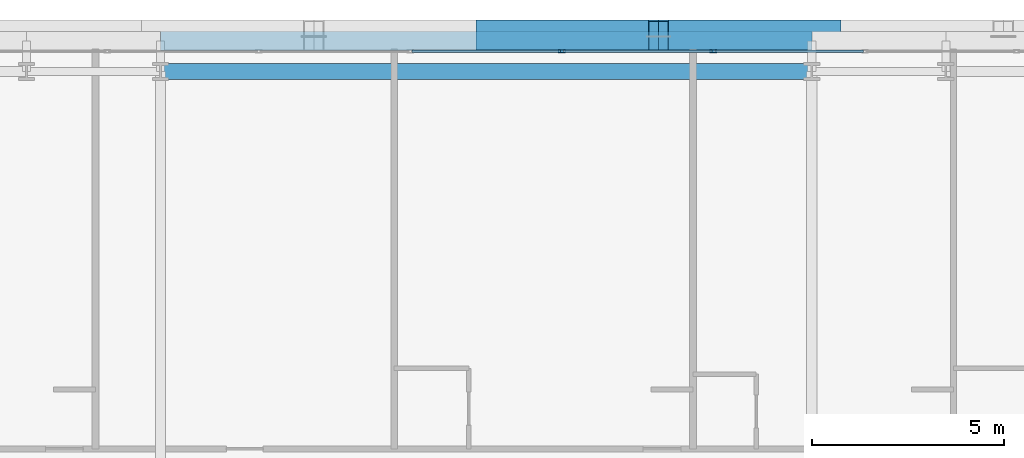
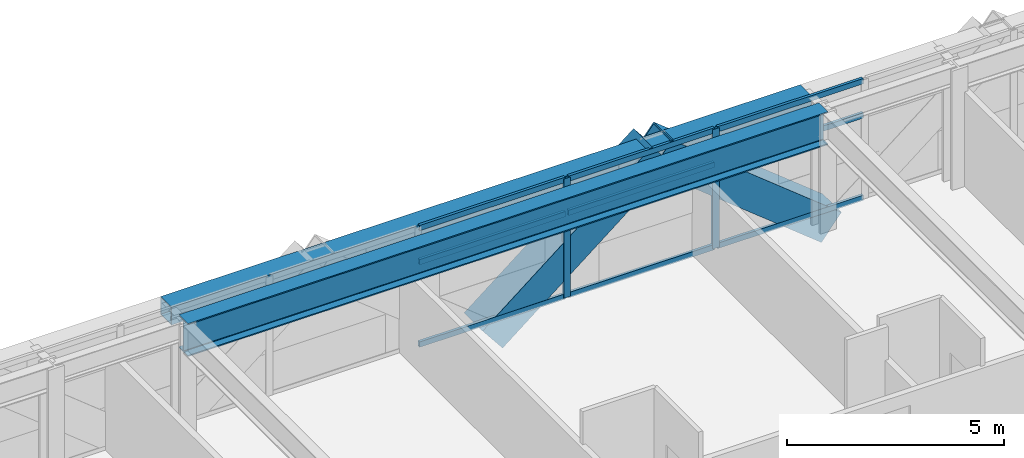
# One storey, part 19 of 35: 13 members, 2 beams, 1 element without a shape of its own.
"""IFC4 building model written with IfcOpenShell, lengths in metres."""

from ifc_helpers import new_model, si_unit, direction, frame, origin, origin_2d, place, context, subcontext, project, spatial, hollow_rectangle, i_section, extrude, source, transform, mapped, material, layer, layer_set, material_profile, profile_set, type_object, element, aggregate, save


model = new_model("IFC4")

# Units and contexts
model_context = context("Model", 3, precision=1e-05, world=origin(), true_north=direction((0.0, 1.0)))
body_context = subcontext(model_context, "Body", "Model", "MODEL_VIEW")
ifc_project = project(units=[si_unit("LENGTHUNIT", "METRE"), si_unit("AREAUNIT", "SQUARE_METRE"), si_unit("VOLUMEUNIT", "CUBIC_METRE"), si_unit("PLANEANGLEUNIT", "RADIAN"), si_unit("MASSUNIT", "GRAM", prefix="KILO")], contexts=[model_context])

# Site, building, storey
site_placement = place(None, origin())
site = spatial("IfcSite", under=ifc_project, at=site_placement, CompositionType="ELEMENT")
building_placement = place(site_placement, origin())
building = spatial("IfcBuilding", under=site, at=building_placement, Name="Ocotamira Hotel", CompositionType="ELEMENT")
storey_placement = place(building_placement, frame((0.0, 0.0, 56.39990234375)))
storey = spatial("IfcBuildingStorey", under=building, at=storey_placement, Name="L13", CompositionType="ELEMENT", Elevation=56.39990234375)

# Beams
ifc_material_1 = material(Name="Steel ASTM A992 Grade 50", Category="steel")
ifc_material_profile_1 = material_profile(ifc_material_1, i_section(OverallWidth=0.41796875, OverallDepth=0.927001953125, WebThickness=0.019287109375, FlangeThickness=0.031982421875, FilletRadius=0.02392578125, at=origin_2d()), Name="W36X231")
ifc_profile_set_1 = profile_set([ifc_material_profile_1], Name="Steel ASTM A992 Grade 50")
beam_type_1 = type_object("IfcBeamType", Name="BM-GIRD-W36X231", PredefinedType="BEAM", material=ifc_profile_set_1)
shared_shape_1 = source(origin(), body_context, "Body", "SweptSolid", [
    extrude(i_section(OverallWidth=0.41796875, OverallDepth=0.927001953125, WebThickness=0.019287109375, FlangeThickness=0.031982421875, FilletRadius=0.02392578125, at=origin_2d()), origin(), (0.0, 0.0, 1.0), 17.0),
])
beam_1_placement = place(storey_placement, frame((23.5, 49.050048828125, 2.88671875), z_axis=(1.0, 0.0, 0.0), x_axis=(0.0, 1.0, 0.0)))
element("IfcBeam", 1, at=beam_1_placement, inside=storey, type_object=beam_type_1, Name="L13 Girder Y49.05 X23.5-40.5", PredefinedType="BEAM", context=body_context, shape_type="MappedRepresentation", body=[
    mapped(shared_shape_1, transform((0.0, 0.0, 0.0), scale=1.0)),
])
ifc_material_2 = material(Name="Steel ASTM A500 Grade C", Category="steel")
ifc_material_profile_2 = material_profile(ifc_material_2, hollow_rectangle(XDim=0.5, YDim=0.5, WallThickness=0.02001953125, at=origin_2d()), Name="HSS500X500X20")
ifc_profile_set_2 = profile_set([ifc_material_profile_2], Name="Steel ASTM A500 Grade C")
beam_type_2 = type_object("IfcBeamType", Name="BM-SPAN-HSS500", PredefinedType="USERDEFINED", material=ifc_profile_set_2)
shared_shape_2 = source(origin(), body_context, "Body", "SweptSolid", [
    extrude(hollow_rectangle(XDim=0.5, YDim=0.5, WallThickness=0.02001953125, at=origin_2d()), origin(), (0.0, 0.0, 1.0), 17.0),
])
beam_2_placement = place(storey_placement, frame((23.5, 49.85009765625, 3.10009765625), z_axis=(1.0, 0.0, 0.0), x_axis=(0.0, 1.0, 0.0)))
element("IfcBeam", 2, at=beam_2_placement, inside=storey, type_object=beam_type_2, Name="L13 Edge Spandrel N X23.5-40.5", ObjectType="SPANDREL", PredefinedType="USERDEFINED", context=body_context, shape_type="MappedRepresentation", body=[
    mapped(shared_shape_2, transform((0.0, 0.0, 0.0), scale=1.0)),
])

# Members
ifc_material_3 = material(Name="Pale-metal coated steel ASTM A913 Grade 65", Category="steel")
ifc_material_profile_3 = material_profile(ifc_material_3, hollow_rectangle(XDim=0.85009765625, YDim=0.85009765625, WallThickness=0.035888671875, at=origin_2d()), Name="BOX850X850X36")
ifc_profile_set_3 = profile_set([ifc_material_profile_3], Name="Pale-metal coated steel ASTM A913 Grade 65")
member_type_1 = type_object("IfcMemberType", Name="MEM-EXO-BOX850", PredefinedType="BRACE", material=ifc_profile_set_3)
shared_shape_3 = source(origin(), body_context, "Body", "SweptSolid", [
    extrude(hollow_rectangle(XDim=0.85009765625, YDim=0.85009765625, WallThickness=0.035888671875, at=origin_2d()), origin(), (0.0, 0.0, 1.0), 5.762939453125),
])
for number, where, z_axis, x_axis, name in (
    (3, (32.0, 49.969970703125, -0.5), (0.780860543151, 0.0, 0.624705380279), (0.0, 1.0, 0.0), "L13 Exoskeleton Diagrid N2.1"),
    (4, (41.0, 49.969970703125, -0.5), (-0.780860543151, 0.0, 0.624705380279), (0.0, -1.0, 0.0), "L13 Exoskeleton Diagrid N2.2"),
):
    element("IfcMember", number, at=place(storey_placement, frame(where, z_axis=z_axis, x_axis=x_axis)), inside=storey, type_object=member_type_1, Name=name, PredefinedType="BRACE", context=body_context, shape_type="MappedRepresentation", body=[
        mapped(shared_shape_3, transform((0.0, 0.0, 0.0), scale=1.0)),
    ])

# Curtain wall, members
ifc_material_4 = material(Name="Anodised pale-metal aluminium and solar glass", Category="aluminium")
ifc_layer = layer(ifc_material_4, 0.179931640625)
ifc_layer_set = layer_set([ifc_layer], Name="Anodised pale-metal aluminium and solar glass")
curtain_wall_type = type_object("IfcCurtainWallType", Name="CW-SYS2-Z1", PredefinedType="NOTDEFINED", material=ifc_layer_set)
curtain_wall_placement = place(storey_placement, origin())
curtain_wall = element("IfcCurtainWall", 5, at=curtain_wall_placement, inside=storey, type_object=curtain_wall_type, Name="L13 Curtain Wall CW-2 CW-L13-N", PredefinedType="NOTDEFINED")
ifc_material_5 = material(Name="Anodised pale-metal aluminium 6063-T6", Category="aluminium")
ifc_material_profile_4 = material_profile(ifc_material_5, hollow_rectangle(XDim=0.074951171875, YDim=0.14990234375, WallThickness=0.006103515625, at=origin_2d()), Name="HSS150X75X6")
ifc_profile_set_4 = profile_set([ifc_material_profile_4], Name="Anodised pale-metal aluminium 6063-T6")
member_type_2 = type_object("IfcMemberType", Name="CWT-150X75", PredefinedType="USERDEFINED", material=ifc_profile_set_4)
shared_shape_4 = source(origin(), body_context, "Body", "SweptSolid", [
    extrude(hollow_rectangle(XDim=0.074951171875, YDim=0.14990234375, WallThickness=0.006103515625, at=origin_2d()), origin(), (0.0, 0.0, 1.0), 3.87548828125),
])
member_1_placement = place(storey_placement, frame((30.062255859375, 49.580078125, 0.03759765625), z_axis=(1.0, 0.0, 0.0), x_axis=(0.0, 1.0, 0.0)))
member_1 = element("IfcMember", 6, at=member_1_placement, type_object=member_type_2, Name="CW-2 transom 5.1", ObjectType="TRANSOM", PredefinedType="USERDEFINED", context=body_context, shape_type="MappedRepresentation", body=[
    mapped(shared_shape_4, transform((0.0, 0.0, 0.0), scale=1.0)),
])
member_2_placement = place(storey_placement, frame((30.062255859375, 49.580078125, 2.35009765625), z_axis=(1.0, 0.0, 0.0), x_axis=(0.0, 1.0, 0.0)))
member_2 = element("IfcMember", 7, at=member_2_placement, type_object=member_type_2, Name="CW-2 transom 5.2", ObjectType="TRANSOM", PredefinedType="USERDEFINED", context=body_context, shape_type="MappedRepresentation", body=[
    mapped(shared_shape_4, transform((0.0, 0.0, 0.0), scale=1.0)),
])
member_3_placement = place(storey_placement, frame((30.062255859375, 49.580078125, 3.3125), z_axis=(1.0, 0.0, 0.0), x_axis=(0.0, 1.0, 0.0)))
member_3 = element("IfcMember", 8, at=member_3_placement, type_object=member_type_2, Name="CW-2 transom 5.3", ObjectType="TRANSOM", PredefinedType="USERDEFINED", context=body_context, shape_type="MappedRepresentation", body=[
    mapped(shared_shape_4, transform((0.0, 0.0, 0.0), scale=1.0)),
])
member_4_placement = place(storey_placement, frame((34.017822265625, 49.580078125, 0.03759765625), z_axis=(1.0, 0.0, 0.0), x_axis=(0.0, 1.0, 0.0)))
member_4 = element("IfcMember", 9, at=member_4_placement, type_object=member_type_2, Name="CW-2 transom 6.1", ObjectType="TRANSOM", PredefinedType="USERDEFINED", context=body_context, shape_type="MappedRepresentation", body=[
    mapped(shared_shape_4, transform((0.0, 0.0, 0.0), scale=1.0)),
])
member_5_placement = place(storey_placement, frame((34.017822265625, 49.580078125, 2.35009765625), z_axis=(1.0, 0.0, 0.0), x_axis=(0.0, 1.0, 0.0)))
member_5 = element("IfcMember", 10, at=member_5_placement, type_object=member_type_2, Name="CW-2 transom 6.2", ObjectType="TRANSOM", PredefinedType="USERDEFINED", context=body_context, shape_type="MappedRepresentation", body=[
    mapped(shared_shape_4, transform((0.0, 0.0, 0.0), scale=1.0)),
])
member_6_placement = place(storey_placement, frame((34.017822265625, 49.580078125, 3.3125), z_axis=(1.0, 0.0, 0.0), x_axis=(0.0, 1.0, 0.0)))
member_6 = element("IfcMember", 11, at=member_6_placement, type_object=member_type_2, Name="CW-2 transom 6.3", ObjectType="TRANSOM", PredefinedType="USERDEFINED", context=body_context, shape_type="MappedRepresentation", body=[
    mapped(shared_shape_4, transform((0.0, 0.0, 0.0), scale=1.0)),
])
member_7_placement = place(storey_placement, frame((37.973388671875, 49.580078125, 0.03759765625), z_axis=(1.0, 0.0, 0.0), x_axis=(0.0, 1.0, 0.0)))
member_7 = element("IfcMember", 12, at=member_7_placement, type_object=member_type_2, Name="CW-2 transom 7.1", ObjectType="TRANSOM", PredefinedType="USERDEFINED", context=body_context, shape_type="MappedRepresentation", body=[
    mapped(shared_shape_4, transform((0.0, 0.0, 0.0), scale=1.0)),
])
member_8_placement = place(storey_placement, frame((37.973388671875, 49.580078125, 2.35009765625), z_axis=(1.0, 0.0, 0.0), x_axis=(0.0, 1.0, 0.0)))
member_8 = element("IfcMember", 13, at=member_8_placement, type_object=member_type_2, Name="CW-2 transom 7.2", ObjectType="TRANSOM", PredefinedType="USERDEFINED", context=body_context, shape_type="MappedRepresentation", body=[
    mapped(shared_shape_4, transform((0.0, 0.0, 0.0), scale=1.0)),
])
member_9_placement = place(storey_placement, frame((37.973388671875, 49.580078125, 3.3125), z_axis=(1.0, 0.0, 0.0), x_axis=(0.0, 1.0, 0.0)))
member_9 = element("IfcMember", 14, at=member_9_placement, type_object=member_type_2, Name="CW-2 transom 7.3", ObjectType="TRANSOM", PredefinedType="USERDEFINED", context=body_context, shape_type="MappedRepresentation", body=[
    mapped(shared_shape_4, transform((0.0, 0.0, 0.0), scale=1.0)),
])
ifc_material_profile_5 = material_profile(ifc_material_5, hollow_rectangle(XDim=0.080078125, YDim=0.179931640625, WallThickness=0.006103515625, at=origin_2d()), Name="HSS180X80X6")
ifc_profile_set_5 = profile_set([ifc_material_profile_5], Name="Anodised pale-metal aluminium 6063-T6")
member_type_3 = type_object("IfcMemberType", Name="CWM-180X75", PredefinedType="MULLION", material=ifc_profile_set_5)
shared_shape_5 = source(origin(), body_context, "Body", "SweptSolid", [
    extrude(hollow_rectangle(XDim=0.080078125, YDim=0.179931640625, WallThickness=0.006103515625, at=origin_2d()), origin(), (0.0, 0.0, 1.0), 3.35009765625),
])
member_10_placement = place(storey_placement, frame((33.977783203125, 49.580078125, 0.0), z_axis=(0.0, 0.0, 1.0), x_axis=(0.0, 1.0, 0.0)))
member_10 = element("IfcMember", 15, at=member_10_placement, type_object=member_type_3, Name="CW-2 mullion 6", PredefinedType="MULLION", context=body_context, shape_type="MappedRepresentation", body=[
    mapped(shared_shape_5, transform((0.0, 0.0, 0.0), scale=1.0)),
])
member_11_placement = place(storey_placement, frame((37.933349609375, 49.580078125, 0.0), z_axis=(0.0, 0.0, 1.0), x_axis=(0.0, 1.0, 0.0)))
member_11 = element("IfcMember", 16, at=member_11_placement, type_object=member_type_3, Name="CW-2 mullion 7", PredefinedType="MULLION", context=body_context, shape_type="MappedRepresentation", body=[
    mapped(shared_shape_5, transform((0.0, 0.0, 0.0), scale=1.0)),
])
aggregate(curtain_wall, [member_10, member_11, member_1, member_2, member_3, member_4, member_5, member_6, member_7, member_8, member_9])

save(model, "model.ifc")
